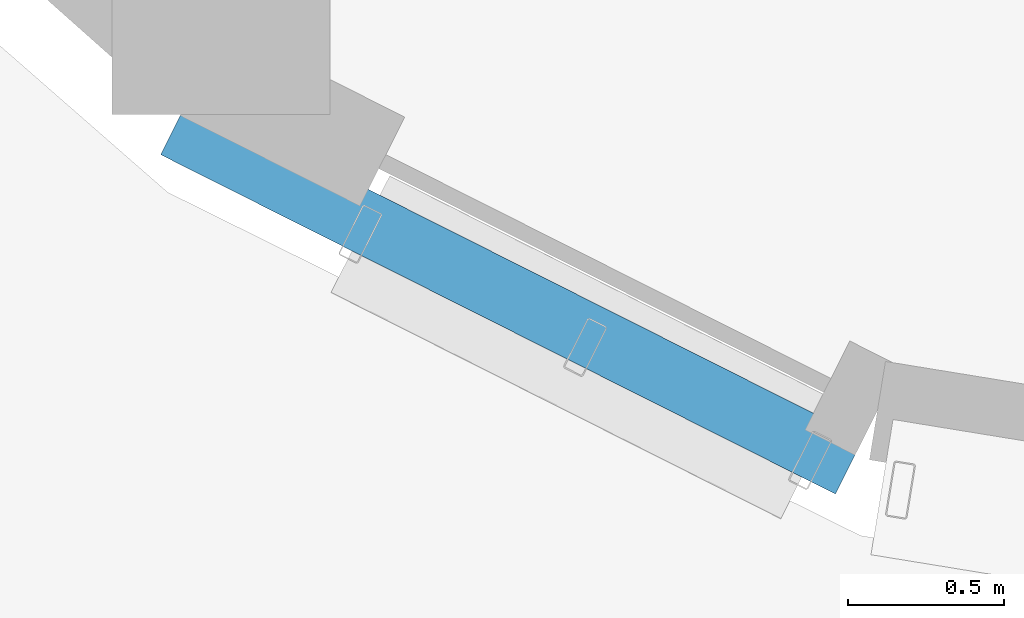
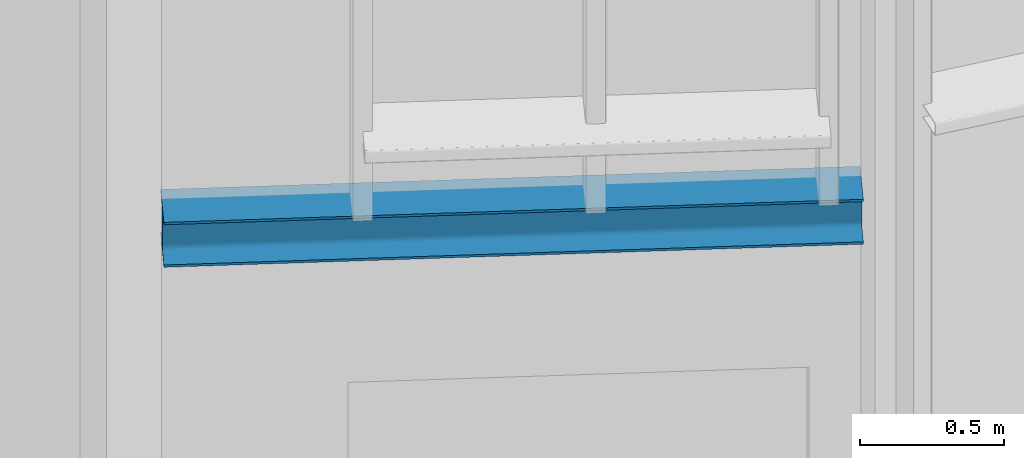
# One storey, part 253 of 372: 1 beam.
"""IFC4 building model written with IfcOpenShell, lengths in metres."""

from ifc_helpers import new_model, si_unit, direction, frame, origin, origin_2d, place, context, subcontext, project, spatial, i_section, extrude, material, material_profile, profile_set, type_object, element, save


model = new_model("IFC4")

# Units and contexts
model_context = context("Model", 3, precision=1e-05, world=origin(), true_north=direction((0.0, 1.0)))
body_context = subcontext(model_context, "Body", "Model", "MODEL_VIEW")
ifc_project = project(units=[si_unit("LENGTHUNIT", "METRE"), si_unit("AREAUNIT", "SQUARE_METRE"), si_unit("VOLUMEUNIT", "CUBIC_METRE"), si_unit("PLANEANGLEUNIT", "RADIAN"), si_unit("MASSUNIT", "GRAM", prefix="KILO")], contexts=[model_context])

# Site, building, storey
site_placement = place(None, origin())
site = spatial("IfcSite", under=ifc_project, at=site_placement, CompositionType="ELEMENT")
building_placement = place(site_placement, origin())
building = spatial("IfcBuilding", under=site, at=building_placement, Name="Kaelora Sail Theatre", CompositionType="ELEMENT")
storey_placement = place(building_placement, origin())
storey = spatial("IfcBuildingStorey", under=building, at=storey_placement, Name="L00", CompositionType="ELEMENT", Elevation=0.0)

# Beam
ifc_material = material(Name="Steel S355", Category="steel")
ifc_material_profile = material_profile(ifc_material, i_section(OverallWidth=0.199951171875, OverallDepth=0.18994140625, WebThickness=0.006591796875, FlangeThickness=0.010009765625, FilletRadius=0.01806640625, at=origin_2d()), Name="HEA 200")
ifc_profile_set = profile_set([ifc_material_profile], Name="Steel S355")
beam_type = type_object("IfcBeamType", Name="STR-BM-BM-HEA200", PredefinedType="BEAM", material=ifc_profile_set)
beam_placement = place(storey_placement, frame((132.811767578125, 24.0078125, 3.0048828125), z_axis=(-0.89337820747, 0.449305440004, 0.0), x_axis=(-0.449305440004, -0.89337820747, 0.0)))
element("IfcBeam", 1, at=beam_placement, inside=storey, type_object=beam_type, Name="Black-Box and Experimental Sail Wing brise-soleil portal lintel beam C12", PredefinedType="BEAM", context=body_context, shape_type="SweptSolid", body=[
    extrude(i_section(OverallWidth=0.199951171875, OverallDepth=0.18994140625, WebThickness=0.006591796875, FlangeThickness=0.010009765625, FilletRadius=0.01806640625, at=origin_2d()), origin(), (0.0, 0.0, 1.0), 2.42626953125),
])

save(model, "model.ifc")
